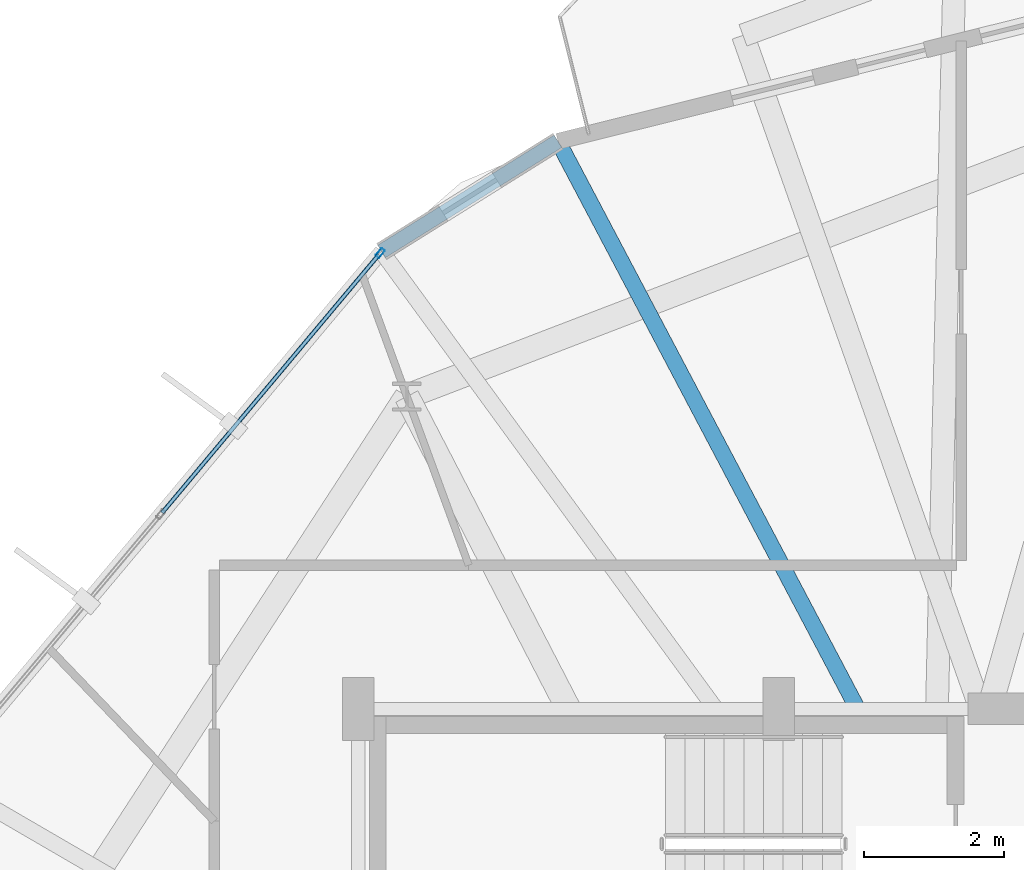
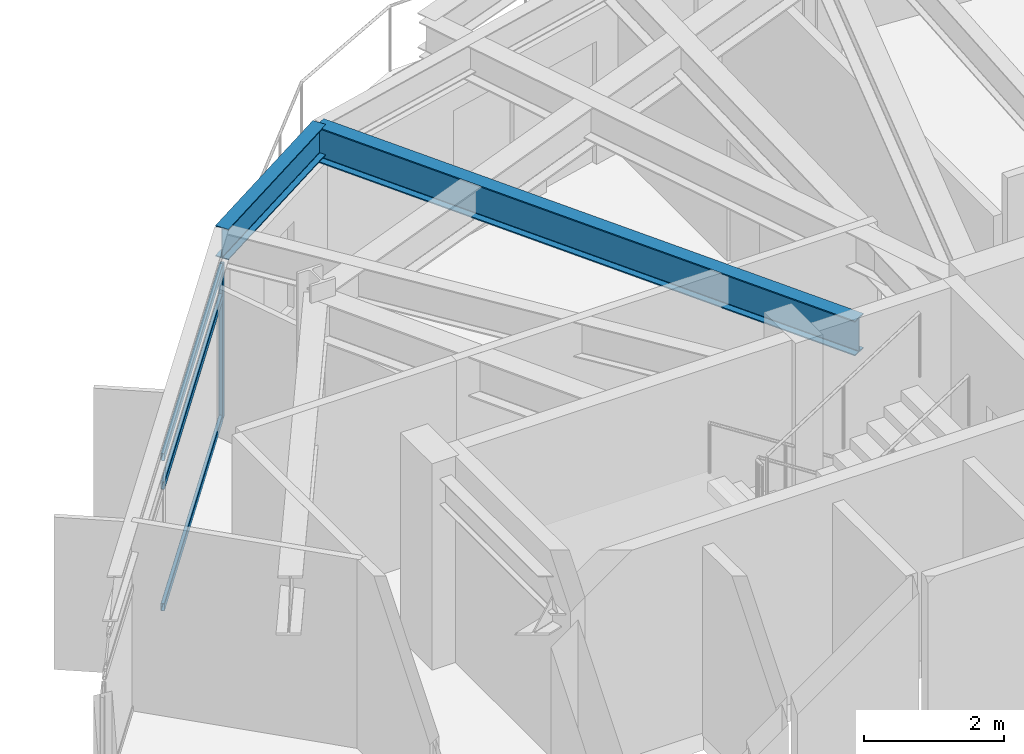
# One storey, part 12 of 23: 4 members, 2 beams, 1 element without a shape of its own.
"""IFC4 building model written with IfcOpenShell, lengths in metres."""

import ifcopenshell
import ifcopenshell.guid

model = None  # the IFC model being written
_history = None  # IfcOwnerHistory: only IFC2X3 demands one
_inside = {}  # id of a spatial element -> (the spatial element, [elements in it])
_under = {}  # id of a project, library or spatial element -> (it, [spatial elements below it])
_declared = {}  # id of a project -> (the project, [libraries it declares])
_typed = {}  # id of a type object -> (the type object, [elements of that type])
_made_of = {}  # id of a material, layer set ... -> (it, [elements and type objects made of it])


def new_model(schema):
    """Start an empty IFC model of exactly this schema.

    Asked for "IFC4X3", IfcOpenShell would pick the latest addendum, in which some entities
    have other attributes; the version numbers below select the first issue.
    IFC2X3 requires an IfcOwnerHistory on every rooted entity: one is made here for all.
    """
    global model, _history
    if schema == "IFC4X3":
        model = ifcopenshell.file(schema_version=(4, 3, 0, 0))
    else:
        model = ifcopenshell.file(schema=schema)
    _inside.clear()
    _under.clear()
    _declared.clear()
    _typed.clear()
    _made_of.clear()
    _history = None
    if model.schema == "IFC2X3":
        org = make("IfcOrganization", Name="unknown")
        user = make(
            "IfcPersonAndOrganization",
            ThePerson=make("IfcPerson", FamilyName="unknown"),
            TheOrganization=org,
        )
        app = make(
            "IfcApplication",
            ApplicationDeveloper=org,
            Version="unknown",
            ApplicationFullName="unknown",
            ApplicationIdentifier="unknown",
        )
        _history = make(
            "IfcOwnerHistory",
            OwningUser=user,
            OwningApplication=app,
            ChangeAction="ADDED",
            CreationDate=0,
        )
    return model


def make(cls, **values):
    """One entity of the class cls with the attributes given. An attribute that is None is left unset."""
    return model.create_entity(
        cls, **{name: value for name, value in values.items() if value is not None}
    )


def rooted(cls, **values):
    """An entity with a GlobalId (a new one), such as an element, a storey or a relation."""
    return make(cls, GlobalId=ifcopenshell.guid.new(), OwnerHistory=_history, **values)


def si_unit(unit_type, name, prefix=None):
    """IfcSIUnit, for example si_unit("LENGTHUNIT", "METRE", prefix="MILLI")."""
    return make("IfcSIUnit", UnitType=unit_type, Prefix=prefix, Name=name)


def assignment(units):
    """IfcUnitAssignment: the units of a project."""
    return None if units is None else make("IfcUnitAssignment", Units=units)


def point(xyz):
    """IfcCartesianPoint."""
    return None if xyz is None else make("IfcCartesianPoint", Coordinates=xyz)


def direction(xyz):
    """IfcDirection."""
    return None if xyz is None else make("IfcDirection", DirectionRatios=xyz)


def frame(location, z_axis=None, x_axis=None):
    """IfcAxis2Placement3D, a coordinate frame: its origin and axes. An axis left out is left unset."""
    return make(
        "IfcAxis2Placement3D",
        Location=point(location),
        Axis=direction(z_axis),
        RefDirection=direction(x_axis),
    )


def frame_2d(location, x_axis=None):
    """IfcAxis2Placement2D, a coordinate frame in the plane: its origin and x axis."""
    return make(
        "IfcAxis2Placement2D", Location=point(location), RefDirection=direction(x_axis)
    )


def origin():
    """The frame at (0, 0, 0) with its axes left unset."""
    return frame((0.0, 0.0, 0.0))


def origin_2d():
    """The frame at (0, 0) in the plane with its x axis left unset."""
    return frame_2d((0.0, 0.0))


def place(relative_to, where):
    """IfcLocalPlacement: puts the frame where relative to a parent placement (None: the world)."""
    return make(
        "IfcLocalPlacement", PlacementRelTo=relative_to, RelativePlacement=where
    )


def context(
    kind, dimensions, precision=None, world=None, true_north=None, identifier=None
):
    """IfcGeometricRepresentationContext, for example the 3D "Model" context."""
    return make(
        "IfcGeometricRepresentationContext",
        ContextIdentifier=identifier,
        ContextType=kind,
        CoordinateSpaceDimension=dimensions,
        Precision=precision,
        WorldCoordinateSystem=world,
        TrueNorth=true_north,
    )


def subcontext(parent, identifier, kind, view, scale=None):
    """IfcGeometricRepresentationSubContext, for example "Body" below "Model"."""
    return make(
        "IfcGeometricRepresentationSubContext",
        ContextIdentifier=identifier,
        ContextType=kind,
        ParentContext=parent,
        TargetScale=scale,
        TargetView=view,
    )


def project(units=None, contexts=None):
    """IfcProject with its units and contexts."""
    return rooted(
        "IfcProject",
        Name="project",
        RepresentationContexts=contexts,
        UnitsInContext=assignment(units),
    )


def spatial(cls, under=None, at=None, **own):
    """A site, building, storey or space (cls), placed at a placement, below another one or the project."""
    s = rooted(cls, ObjectPlacement=at, **own)
    if under is not None:
        _under.setdefault(under.id(), (under, []))[1].append(s)
    return s


def profile(cls, at=None, kind="AREA", **sizes):
    """A parametric profile (cls). Its sizes go by their IFC names, for example OverallWidth=200.0."""
    return make(cls, ProfileType=kind, Position=at, **sizes)


def hollow_rectangle(**sizes):
    """IfcRectangleHollowProfileDef."""
    return profile("IfcRectangleHollowProfileDef", **sizes)


def i_section(**sizes):
    """IfcIShapeProfileDef."""
    return profile("IfcIShapeProfileDef", **sizes)


def extrude(swept, where, along, depth):
    """IfcExtrudedAreaSolid: the profile swept, set in the frame where, extruded along a direction by depth."""
    return make(
        "IfcExtrudedAreaSolid",
        SweptArea=swept,
        Position=where,
        ExtrudedDirection=direction(along),
        Depth=depth,
    )


def shape(context_of_items, identifier, shape_type, items):
    """IfcShapeRepresentation: the items that make up one representation, for example the "Body"."""
    return make(
        "IfcShapeRepresentation",
        ContextOfItems=context_of_items,
        RepresentationIdentifier=identifier,
        RepresentationType=shape_type,
        Items=items,
    )


def material(Name=None, Category=None):
    """IfcMaterial."""
    return make("IfcMaterial", Name=Name, Category=Category)


def layer(
    of_material, thickness, ventilated=None, Name=None, Category=None, Priority=None
):
    """IfcMaterialLayer: one layer of a wall or slab, of a material (None: an air gap)."""
    return make(
        "IfcMaterialLayer",
        Material=of_material,
        LayerThickness=thickness,
        IsVentilated=ventilated,
        Name=Name,
        Category=Category,
        Priority=Priority,
    )


def layer_set(layers, Name=None):
    """IfcMaterialLayerSet."""
    return make("IfcMaterialLayerSet", MaterialLayers=layers, LayerSetName=Name)


def material_profile(
    of_material, cross_section, Name=None, Category=None, Priority=None
):
    """IfcMaterialProfile: a cross section and its material."""
    return make(
        "IfcMaterialProfile",
        Name=Name,
        Material=of_material,
        Profile=cross_section,
        Priority=Priority,
        Category=Category,
    )


def profile_set(profiles, Name=None, composite=None):
    """IfcMaterialProfileSet."""
    return make(
        "IfcMaterialProfileSet",
        Name=Name,
        MaterialProfiles=profiles,
        CompositeProfile=composite,
    )


def made_of(thing, what):
    """Note that an element or type object is made of a material, layer set ...; save() writes the relation."""
    if what is not None:
        _made_of.setdefault(what.id(), (what, []))[1].append(thing)
    return thing


def type_object(cls, material=None, **own):
    """A type object (cls), such as IfcWallType, which elements share."""
    return made_of(rooted(cls, **own), material)


def element(
    cls,
    number,
    at=None,
    inside=None,
    cuts=None,
    type_object=None,
    material=None,
    context=None,
    identifier="Body",
    shape_type=None,
    held_by="IfcProductDefinitionShape",
    body=None,
    shapes=None,
    **own,
):
    """One element of the class cls, such as IfcWall. Its Tag is "e" and its number.

    at: its placement. inside: the storey or other place that contains it. cuts: it is an
    opening in that element (IfcRelVoidsElement). A single representation is given by context,
    identifier, shape_type and body (its items); several are given by shapes. held_by: the class
    of the entity that holds the representations. save() writes the other relations.
    """
    e = rooted(cls, Tag="e%d" % number, ObjectPlacement=at, **own)
    if body is not None:
        shapes = [shape(context, identifier, shape_type, body)]
    if shapes is not None:
        e.Representation = make(held_by, Representations=shapes)
    if inside is not None:
        _inside.setdefault(inside.id(), (inside, []))[1].append(e)
    if cuts is not None:
        rooted(
            "IfcRelVoidsElement", RelatingBuildingElement=cuts, RelatedOpeningElement=e
        )
    if type_object is not None:
        _typed.setdefault(type_object.id(), (type_object, []))[1].append(e)
    return made_of(e, material)


def aggregate(whole, parts):
    """IfcRelAggregates: a whole, such as a stair, and the parts it consists of."""
    return rooted("IfcRelAggregates", RelatingObject=whole, RelatedObjects=parts)


def save(model, path):
    """Write the relations noted so far, then the file.

    IfcRelAggregates (storeys below a building ...), IfcRelContainedInSpatialStructure (elements
    in a storey), IfcRelDefinesByType, IfcRelAssociatesMaterial and IfcRelDeclares: one each for
    every whole, place, type object, material and project.
    """
    for whole, parts in _under.values():
        aggregate(whole, parts)
    for where, things in _inside.values():
        rooted(
            "IfcRelContainedInSpatialStructure",
            RelatedElements=things,
            RelatingStructure=where,
        )
    for kind, things in _typed.values():
        rooted("IfcRelDefinesByType", RelatedObjects=things, RelatingType=kind)
    for what, things in _made_of.values():
        rooted("IfcRelAssociatesMaterial", RelatedObjects=things, RelatingMaterial=what)
    for by, libraries in _declared.values():
        rooted("IfcRelDeclares", RelatingContext=by, RelatedDefinitions=libraries)
    model.write(path)


model = new_model("IFC4")

# Units and contexts
model_context = context("Model", 3, precision=1e-05, world=origin(), true_north=direction((0.0, 1.0)))
body_context = subcontext(model_context, "Body", "Model", "MODEL_VIEW")
ifc_project = project(units=[si_unit("LENGTHUNIT", "METRE"), si_unit("AREAUNIT", "SQUARE_METRE"), si_unit("VOLUMEUNIT", "CUBIC_METRE"), si_unit("PLANEANGLEUNIT", "RADIAN"), si_unit("MASSUNIT", "GRAM", prefix="KILO")], contexts=[model_context])

# Site, building, storey
site_placement = place(None, origin())
site = spatial("IfcSite", under=ifc_project, at=site_placement, CompositionType="ELEMENT")
building_placement = place(site_placement, origin())
building = spatial("IfcBuilding", under=site, at=building_placement, Name="Soratama Intermodal Tower", CompositionType="ELEMENT")
storey_placement = place(building_placement, frame((0.0, 0.0, 215.800048828125)))
storey = spatial("IfcBuildingStorey", under=building, at=storey_placement, Name="L54", CompositionType="ELEMENT", Elevation=215.800048828125)

# Beams
ifc_material_1 = material(Name="Structural steel ASTM A992 Grade 50", Category="steel")
ifc_material_profile_1 = material_profile(ifc_material_1, i_section(OverallWidth=0.2099609375, OverallDepth=0.537109375, WebThickness=0.010986328125, FlangeThickness=0.017333984375, FilletRadius=0.012939453125, at=origin_2d()), Name="W21X68")
ifc_profile_set_1 = profile_set([ifc_material_profile_1], Name="Structural steel ASTM A992 Grade 50")
beam_type_1 = type_object("IfcBeamType", Name="BM-SPN-W21X68", PredefinedType="SPANDREL", material=ifc_profile_set_1)
beam_1_placement = place(storey_placement, frame((35.449951171875, 43.094970703125, 3.031494140625), z_axis=(-0.84820632616, -0.529665959131, 0.0), x_axis=(0.529665959131, -0.84820632616, 0.0)))
element("IfcBeam", 1, at=beam_1_placement, inside=storey, type_object=beam_type_1, Name="BS-L54-CRN02", PredefinedType="SPANDREL", context=body_context, shape_type="SweptSolid", body=[
    extrude(i_section(OverallWidth=0.2099609375, OverallDepth=0.537109375, WebThickness=0.010986328125, FlangeThickness=0.017333984375, FilletRadius=0.012939453125, at=origin_2d()), origin(), (0.0, 0.0, 1.0), 2.966064453125),
])
ifc_material_2 = material(Name="Structural steel ASTM A992 Grade 50", Category="steel")
ifc_material_profile_2 = material_profile(ifc_material_2, i_section(OverallWidth=0.22900390625, OverallDepth=0.612060546875, WebThickness=0.011962890625, FlangeThickness=0.01953125, FilletRadius=0.012939453125, at=origin_2d()), Name="W24X84")
ifc_profile_set_2 = profile_set([ifc_material_profile_2], Name="Structural steel ASTM A992 Grade 50")
beam_type_2 = type_object("IfcBeamType", Name="BM-TIE-W24X84", PredefinedType="BEAM", material=ifc_profile_set_2)
beam_2_placement = place(storey_placement, frame((39.7041015625, 35.034912109375, 2.993896484375), z_axis=(-0.466778407212, 0.88437430908, 0.0), x_axis=(-0.88437430908, -0.466778407212, 0.0)))
element("IfcBeam", 2, at=beam_2_placement, inside=storey, type_object=beam_type_2, Name="BM-L54-TIE1-02", PredefinedType="BEAM", context=body_context, shape_type="SweptSolid", body=[
    extrude(i_section(OverallWidth=0.22900390625, OverallDepth=0.612060546875, WebThickness=0.011962890625, FlangeThickness=0.01953125, FilletRadius=0.012939453125, at=origin_2d()), origin(), (0.0, 0.0, 1.0), 9.11376953125),
])

# Curtain wall, members
ifc_material_3 = material(Name="Double-glazed aluminium curtain wall", Category="aluminium")
ifc_layer = layer(ifc_material_3, 0.159912109375)
ifc_layer_set = layer_set([ifc_layer], Name="Double-glazed aluminium curtain wall")
curtain_wall_type = type_object("IfcCurtainWallType", Name="CW-SYS-5", PredefinedType="NOTDEFINED", material=ifc_layer_set)
curtain_wall_placement = place(storey_placement, origin())
curtain_wall = element("IfcCurtainWall", 3, at=curtain_wall_placement, inside=storey, type_object=curtain_wall_type, Name="L54 Faceted Curtain Wall F03", PredefinedType="NOTDEFINED")
ifc_material_4 = material(Name="Anodised aluminium AA 6063-T6", Category="aluminium")
ifc_material_profile_3 = material_profile(ifc_material_4, hollow_rectangle(XDim=0.06494140625, YDim=0.139892578125, WallThickness=0.0048828125, InnerFilletRadius=0.0048828125, OuterFilletRadius=0.010009765625, at=origin_2d()), Name="CWM140X65X5")
ifc_profile_set_3 = profile_set([ifc_material_profile_3], Name="Anodised aluminium AA 6063-T6")
member_type_1 = type_object("IfcMemberType", Name="MT-CWM-5", PredefinedType="MULLION", material=ifc_profile_set_3)
member_1_placement = place(storey_placement, frame((32.914794921875, 41.500732421875, 0.0), z_axis=(0.0, 0.0, 1.0), x_axis=(0.76582316527, -0.643051226214, 0.0)))
member_1 = element("IfcMember", 4, at=member_1_placement, type_object=member_type_1, Name="CW-5 mullion 1", PredefinedType="MULLION", context=body_context, shape_type="SweptSolid", body=[
    extrude(hollow_rectangle(XDim=0.06494140625, YDim=0.139892578125, WallThickness=0.0048828125, InnerFilletRadius=0.0048828125, OuterFilletRadius=0.010009765625, at=origin_2d()), origin(), (0.0, 0.0, 1.0), 2.678955078125),
])
ifc_material_5 = material(Name="Anodised aluminium AA 6063-T6", Category="aluminium")
ifc_material_profile_4 = material_profile(ifc_material_5, hollow_rectangle(XDim=0.06005859375, YDim=0.1298828125, WallThickness=0.0048828125, InnerFilletRadius=0.0048828125, OuterFilletRadius=0.010009765625, at=origin_2d()), Name="CWT130X60X5")
ifc_profile_set_4 = profile_set([ifc_material_profile_4], Name="Anodised aluminium AA 6063-T6")
member_type_2 = type_object("IfcMemberType", Name="TT-CWT-2", PredefinedType="USERDEFINED", material=ifc_profile_set_4)
member_2_placement = place(storey_placement, frame((32.8955078125, 41.477783203125, 0.030029296875), z_axis=(-0.643033593677, -0.765837970724, 0.0), x_axis=(0.765837970724, -0.643033593677, 0.0)))
member_2 = element("IfcMember", 5, at=member_2_placement, type_object=member_type_2, Name="CW-5 transom 1.1", ObjectType="TRANSOM", PredefinedType="USERDEFINED", context=body_context, shape_type="SweptSolid", body=[
    extrude(hollow_rectangle(XDim=0.06005859375, YDim=0.1298828125, WallThickness=0.0048828125, InnerFilletRadius=0.0048828125, OuterFilletRadius=0.010009765625, at=origin_2d()), origin(), (0.0, 0.0, 1.0), 4.80517578125),
])
member_3_placement = place(storey_placement, frame((32.8955078125, 41.477783203125, 2.14990234375), z_axis=(-0.643033593677, -0.765837970724, 0.0), x_axis=(0.765837970724, -0.643033593677, 0.0)))
member_3 = element("IfcMember", 6, at=member_3_placement, type_object=member_type_2, Name="CW-5 transom 1.2", ObjectType="TRANSOM", PredefinedType="USERDEFINED", context=body_context, shape_type="SweptSolid", body=[
    extrude(hollow_rectangle(XDim=0.06005859375, YDim=0.1298828125, WallThickness=0.0048828125, InnerFilletRadius=0.0048828125, OuterFilletRadius=0.010009765625, at=origin_2d()), origin(), (0.0, 0.0, 1.0), 4.80517578125),
])
member_4_placement = place(storey_placement, frame((32.8955078125, 41.477783203125, 2.64892578125), z_axis=(-0.643033593677, -0.765837970724, 0.0), x_axis=(0.765837970724, -0.643033593677, 0.0)))
member_4 = element("IfcMember", 7, at=member_4_placement, type_object=member_type_2, Name="CW-5 transom 1.3", ObjectType="TRANSOM", PredefinedType="USERDEFINED", context=body_context, shape_type="SweptSolid", body=[
    extrude(hollow_rectangle(XDim=0.06005859375, YDim=0.1298828125, WallThickness=0.0048828125, InnerFilletRadius=0.0048828125, OuterFilletRadius=0.010009765625, at=origin_2d()), origin(), (0.0, 0.0, 1.0), 4.80517578125),
])
aggregate(curtain_wall, [member_1, member_2, member_3, member_4])

save(model, "model.ifc")
